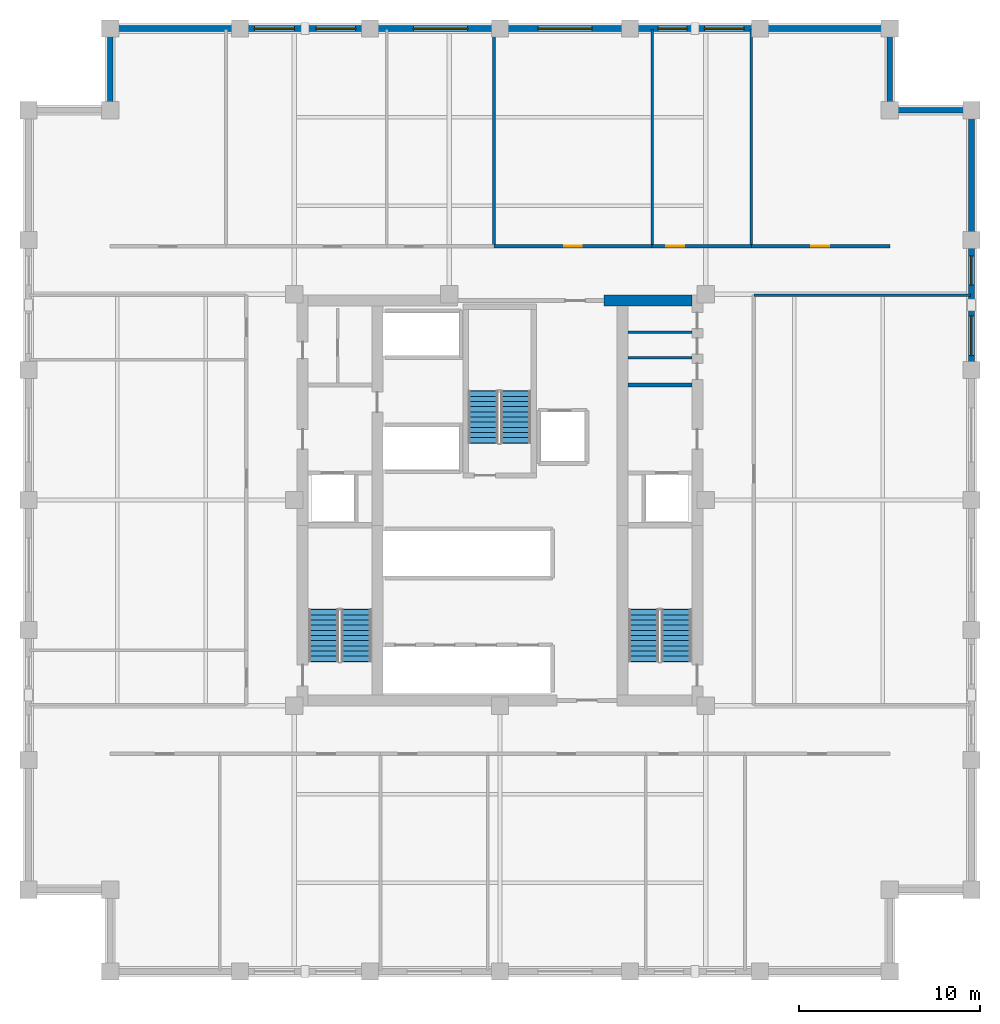
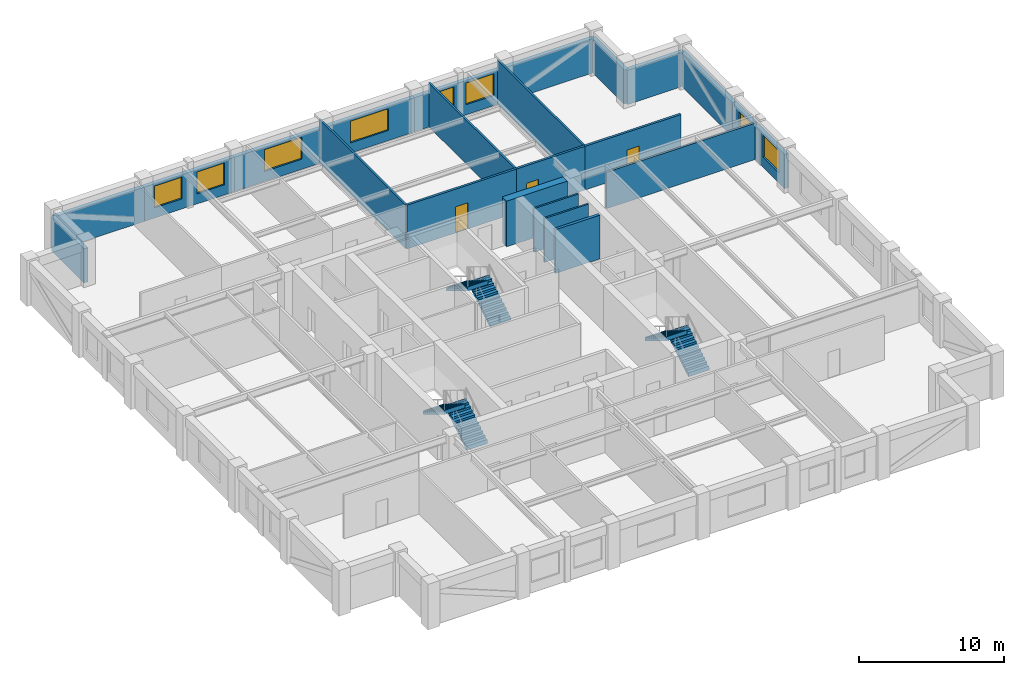
# One storey, part 5 of 6: 22 walls, 8 windows, 6 stair flights, 3 doors, 11 openings, 3 elements without a shape of their own.
"""IFC4 building model written with IfcOpenShell, lengths in metres."""

from ifc_helpers import new_model, si_unit, direction, frame, frame_2d, origin, place, context, subcontext, project, spatial, polyline, rectangle, outline, extrude, material, layer, layer_set, type_object, element, fill, aggregate, save


model = new_model("IFC4")

# Units and contexts
model_context = context("Model", 3, precision=1e-05, world=origin(), true_north=direction((0.0, 1.0)))
body_context = subcontext(model_context, "Body", "Model", "MODEL_VIEW")
ifc_project = project(units=[si_unit("LENGTHUNIT", "METRE"), si_unit("AREAUNIT", "SQUARE_METRE"), si_unit("VOLUMEUNIT", "CUBIC_METRE"), si_unit("PLANEANGLEUNIT", "RADIAN"), si_unit("MASSUNIT", "GRAM", prefix="KILO")], contexts=[model_context])

# Site, building, storey
site_placement = place(None, origin())
site = spatial("IfcSite", under=ifc_project, at=site_placement, CompositionType="ELEMENT")
building_placement = place(site_placement, origin())
building = spatial("IfcBuilding", under=site, at=building_placement, Name="Nhamokura Convention Tower", CompositionType="ELEMENT")
storey_placement = place(building_placement, frame((0.0, 0.0, 129.85009765625)))
storey = spatial("IfcBuildingStorey", under=building, at=storey_placement, Name="L31", CompositionType="ELEMENT", Elevation=129.85009765625)

# Walls
ifc_material_1 = material(Name="Moisture-resistant tile-backer partition", Category="masonry")
ifc_layer_1 = layer(ifc_material_1, 0.139892578125)
ifc_layer_set_1 = layer_set([ifc_layer_1], Name="BathroomWetWall_140")
wall_type_1 = type_object("IfcWallType", Name="BathroomWetWall_140", PredefinedType="STANDARD", material=ifc_layer_set_1)
for number, where, z_axis, x_axis, name in (
    (1, (39.06005859375, 39.85009765625, 0.0), (0.0, 0.0, 1.0), (1.0, 0.0, 0.0), "L31 Wall INT-L31-CWNE1"),
    (2, (39.06005859375, 41.25, 0.0), (0.0, 0.0, 1.0), (1.0, 0.0, 0.0), "L31 Wall INT-L31-CWNE2"),
):
    element("IfcWall", number, at=place(storey_placement, frame(where, z_axis=z_axis, x_axis=x_axis)), inside=storey, type_object=wall_type_1, Name=name, PredefinedType="STANDARD", context=body_context, shape_type="SweptSolid", body=[
        extrude(rectangle(XDim=3.530029296875, YDim=0.139892578125, at=frame_2d((1.76513671875, 0.0))), origin(), (0.0, 0.0, 1.0), 3.684814453125),
    ])
ifc_material_2 = material(Name="Bronze-pigmented precast concrete C45/55", Category="concrete")
ifc_layer_2 = layer(ifc_material_2, 0.320068359375)
ifc_layer_set_2 = layer_set([ifc_layer_2], Name="BronzePrecastSpandrel_320")
wall_type_2 = type_object("IfcWallType", Name="BronzePrecastSpandrel_320", PredefinedType="USERDEFINED", material=ifc_layer_set_2)
wall_1_placement = place(storey_placement, frame((10.5, 58.0, 0.0), z_axis=(0.0, 0.0, 1.0), x_axis=(1.0, 0.0, 0.0)))
element("IfcWall", 3, at=wall_1_placement, inside=storey, type_object=wall_type_2, Name="L31 Braced-Bay Precast Wall NORTH 0", ObjectType="SPANDREL_WALL", PredefinedType="USERDEFINED", context=body_context, shape_type="SweptSolid", body=[
    extrude(rectangle(XDim=7.166748046875, YDim=0.320068359375, at=frame_2d((3.58349609375, 0.0))), origin(), (0.0, 0.0, 1.0), 2.885009765625),
])

# Wall, openings, windows
wall_2_placement = place(storey_placement, frame((17.666748046875, 58.0, 0.0), z_axis=(0.0, 0.0, 1.0), x_axis=(1.0, 0.0, 0.0)))
wall_2 = element("IfcWall", 4, at=wall_2_placement, inside=storey, type_object=wall_type_2, Name="L31 Masonry-Frame Wall NORTH 1", ObjectType="SPANDREL_WALL", PredefinedType="USERDEFINED", context=body_context, shape_type="SweptSolid", body=[
    extrude(rectangle(XDim=7.16650390625, YDim=0.320068359375, at=frame_2d((3.583251953125, 0.0))), origin(), (0.0, 0.0, 1.0), 2.885009765625),
])
opening_1_placement = place(wall_2_placement, frame((0.791748046875, 0.0, 0.85009765625)))
opening_1 = element("IfcOpeningElement", 5, at=opening_1_placement, cuts=wall_2, Name="Opening W-06", PredefinedType="OPENING", context=body_context, shape_type="SweptSolid", body=[
    extrude(rectangle(XDim=2.199951171875, YDim=1.8349609375, at=frame_2d((1.10009765625, 0.91748046875))), frame((0.0, 0.169921875, 0.0), z_axis=(0.0, -1.0, 0.0), x_axis=(1.0, 0.0, 0.0)), (0.0, 0.0, 1.0), 0.340087890625),
])
opening_2_placement = place(wall_2_placement, frame((4.175048828125, 0.0, 0.85009765625)))
opening_2 = element("IfcOpeningElement", 6, at=opening_2_placement, cuts=wall_2, Name="Opening W-06", PredefinedType="OPENING", context=body_context, shape_type="SweptSolid", body=[
    extrude(rectangle(XDim=2.199951171875, YDim=1.8349609375, at=frame_2d((1.10009765625, 0.91748046875))), frame((0.0, 0.169921875, 0.0), z_axis=(0.0, -1.0, 0.0), x_axis=(1.0, 0.0, 0.0)), (0.0, 0.0, 1.0), 0.340087890625),
])
ifc_material_3 = material(Name="Solar-control bronze low-E double glass", Category="glass")
window_type_1 = type_object("IfcWindowType", Name="OfficeModuleWindow_Z2_2200", PartitioningType="SINGLE_PANEL", PredefinedType="WINDOW", material=ifc_material_3)
window_1_placement = place(opening_1_placement, origin())
window_1 = element("IfcWindow", 7, at=window_1_placement, inside=storey, type_object=window_type_1, Name="L31 Facade Window NORTH 1-1", OverallHeight=1.8349609375, OverallWidth=2.199951171875, PartitioningType="SINGLE_PANEL", PredefinedType="WINDOW", context=body_context, shape_type="SweptSolid", body=[
    extrude(rectangle(XDim=2.199951171875, YDim=1.8349609375, at=frame_2d((1.10009765625, 0.91748046875))), frame((0.0, 0.030029296875, 0.0), z_axis=(0.0, -1.0, 0.0), x_axis=(1.0, 0.0, 0.0)), (0.0, 0.0, 1.0), 0.06005859375),
])
fill(opening_1, window_1)
window_2_placement = place(opening_2_placement, origin())
window_2 = element("IfcWindow", 8, at=window_2_placement, inside=storey, type_object=window_type_1, Name="L31 Facade Window NORTH 1-2", OverallHeight=1.8349609375, OverallWidth=2.199951171875, PartitioningType="SINGLE_PANEL", PredefinedType="WINDOW", context=body_context, shape_type="SweptSolid", body=[
    extrude(rectangle(XDim=2.199951171875, YDim=1.8349609375, at=frame_2d((1.10009765625, 0.91748046875))), frame((0.0, 0.030029296875, 0.0), z_axis=(0.0, -1.0, 0.0), x_axis=(1.0, 0.0, 0.0)), (0.0, 0.0, 1.0), 0.06005859375),
])
fill(opening_2, window_2)

# Wall, opening, window
wall_3_placement = place(storey_placement, frame((24.833251953125, 58.0, 0.0), z_axis=(0.0, 0.0, 1.0), x_axis=(1.0, 0.0, 0.0)))
wall_3 = element("IfcWall", 9, at=wall_3_placement, inside=storey, type_object=wall_type_2, Name="L31 Masonry-Frame Wall NORTH 2", ObjectType="SPANDREL_WALL", PredefinedType="USERDEFINED", context=body_context, shape_type="SweptSolid", body=[
    extrude(rectangle(XDim=7.166748046875, YDim=0.320068359375, at=frame_2d((3.58349609375, 0.0))), origin(), (0.0, 0.0, 1.0), 2.885009765625),
])
opening_3_placement = place(wall_3_placement, frame((2.38330078125, 0.0, 0.85009765625)))
opening_3 = element("IfcOpeningElement", 10, at=opening_3_placement, cuts=wall_3, Name="Opening W-05", PredefinedType="OPENING", context=body_context, shape_type="SweptSolid", body=[
    extrude(rectangle(XDim=3.0, YDim=1.8349609375, at=frame_2d((1.5, 0.91748046875))), frame((0.0, 0.169921875, 0.0), z_axis=(0.0, -1.0, 0.0), x_axis=(1.0, 0.0, 0.0)), (0.0, 0.0, 1.0), 0.340087890625),
])
ifc_material_4 = material(Name="Solar-control bronze low-E double glass", Category="glass")
window_type_2 = type_object("IfcWindowType", Name="OfficeModuleWindow_Z2_3000", PartitioningType="DOUBLE_PANEL_VERTICAL", PredefinedType="WINDOW", material=ifc_material_4)
window_3_placement = place(opening_3_placement, origin())
window_3 = element("IfcWindow", 11, at=window_3_placement, inside=storey, type_object=window_type_2, Name="L31 Facade Window NORTH 2", OverallHeight=1.8349609375, OverallWidth=3.0, PartitioningType="SINGLE_PANEL", PredefinedType="WINDOW", context=body_context, shape_type="SweptSolid", body=[
    extrude(rectangle(XDim=3.0, YDim=1.8349609375, at=frame_2d((1.5, 0.91748046875))), frame((0.0, 0.030029296875, 0.0), z_axis=(0.0, -1.0, 0.0), x_axis=(1.0, 0.0, 0.0)), (0.0, 0.0, 1.0), 0.06005859375),
])
fill(opening_3, window_3)

wall_4_placement = place(storey_placement, frame((32.0, 58.0, 0.0), z_axis=(0.0, 0.0, 1.0), x_axis=(1.0, 0.0, 0.0)))
wall_4 = element("IfcWall", 12, at=wall_4_placement, inside=storey, type_object=wall_type_2, Name="L31 Masonry-Frame Wall NORTH 3", ObjectType="SPANDREL_WALL", PredefinedType="USERDEFINED", context=body_context, shape_type="SweptSolid", body=[
    extrude(rectangle(XDim=7.166748046875, YDim=0.320068359375, at=frame_2d((3.58349609375, 0.0))), origin(), (0.0, 0.0, 1.0), 2.885009765625),
])
opening_4_placement = place(wall_4_placement, frame((2.083251953125, 0.0, 0.85009765625)))
opening_4 = element("IfcOpeningElement", 13, at=opening_4_placement, cuts=wall_4, Name="Opening W-05", PredefinedType="OPENING", context=body_context, shape_type="SweptSolid", body=[
    extrude(rectangle(XDim=3.0, YDim=1.8349609375, at=frame_2d((1.5, 0.91748046875))), frame((0.0, 0.169921875, 0.0), z_axis=(0.0, -1.0, 0.0), x_axis=(1.0, 0.0, 0.0)), (0.0, 0.0, 1.0), 0.340087890625),
])
window_4_placement = place(opening_4_placement, origin())
window_4 = element("IfcWindow", 14, at=window_4_placement, inside=storey, type_object=window_type_2, Name="L31 Facade Window NORTH 3", OverallHeight=1.8349609375, OverallWidth=3.0, PartitioningType="SINGLE_PANEL", PredefinedType="WINDOW", context=body_context, shape_type="SweptSolid", body=[
    extrude(rectangle(XDim=3.0, YDim=1.8349609375, at=frame_2d((1.5, 0.91748046875))), frame((0.0, 0.030029296875, 0.0), z_axis=(0.0, -1.0, 0.0), x_axis=(1.0, 0.0, 0.0)), (0.0, 0.0, 1.0), 0.06005859375),
])
fill(opening_4, window_4)

# Wall, openings, windows
wall_5_placement = place(storey_placement, frame((39.166748046875, 58.0, 0.0), z_axis=(0.0, 0.0, 1.0), x_axis=(1.0, 0.0, 0.0)))
wall_5 = element("IfcWall", 15, at=wall_5_placement, inside=storey, type_object=wall_type_2, Name="L31 Masonry-Frame Wall NORTH 4", ObjectType="SPANDREL_WALL", PredefinedType="USERDEFINED", context=body_context, shape_type="SweptSolid", body=[
    extrude(rectangle(XDim=7.16650390625, YDim=0.320068359375, at=frame_2d((3.583251953125, 0.0))), origin(), (0.0, 0.0, 1.0), 2.885009765625),
])
opening_5_placement = place(wall_5_placement, frame((1.541748046875, 0.0, 0.85009765625)))
opening_5 = element("IfcOpeningElement", 16, at=opening_5_placement, cuts=wall_5, Name="Opening W-11", PredefinedType="OPENING", context=body_context, shape_type="SweptSolid", body=[
    extrude(rectangle(XDim=1.60009765625, YDim=1.8349609375, at=frame_2d((0.800048828125, 0.91748046875))), frame((0.0, 0.169921875, 0.0), z_axis=(0.0, -1.0, 0.0), x_axis=(1.0, 0.0, 0.0)), (0.0, 0.0, 1.0), 0.340087890625),
])
opening_6_placement = place(wall_5_placement, frame((4.10009765625, 0.0, 0.85009765625)))
opening_6 = element("IfcOpeningElement", 17, at=opening_6_placement, cuts=wall_5, Name="Opening W-06", PredefinedType="OPENING", context=body_context, shape_type="SweptSolid", body=[
    extrude(rectangle(XDim=2.199951171875, YDim=1.8349609375, at=frame_2d((1.10009765625, 0.91748046875))), frame((0.0, 0.169921875, 0.0), z_axis=(0.0, -1.0, 0.0), x_axis=(1.0, 0.0, 0.0)), (0.0, 0.0, 1.0), 0.340087890625),
])
ifc_material_5 = material(Name="Solar-control bronze low-E double glass", Category="glass")
window_type_3 = type_object("IfcWindowType", Name="NotchCornerWindow_1600", PartitioningType="SINGLE_PANEL", PredefinedType="WINDOW", material=ifc_material_5)
window_5_placement = place(opening_5_placement, origin())
window_5 = element("IfcWindow", 18, at=window_5_placement, inside=storey, type_object=window_type_3, Name="L31 Facade Window NORTH 4-2", OverallHeight=1.8349609375, OverallWidth=1.60009765625, PartitioningType="SINGLE_PANEL", PredefinedType="WINDOW", context=body_context, shape_type="SweptSolid", body=[
    extrude(rectangle(XDim=1.60009765625, YDim=1.8349609375, at=frame_2d((0.800048828125, 0.91748046875))), frame((0.0, 0.030029296875, 0.0), z_axis=(0.0, -1.0, 0.0), x_axis=(1.0, 0.0, 0.0)), (0.0, 0.0, 1.0), 0.06005859375),
])
fill(opening_5, window_5)
window_6_placement = place(opening_6_placement, origin())
window_6 = element("IfcWindow", 19, at=window_6_placement, inside=storey, type_object=window_type_1, Name="L31 Facade Window NORTH 4-3", OverallHeight=1.8349609375, OverallWidth=2.199951171875, PartitioningType="SINGLE_PANEL", PredefinedType="WINDOW", context=body_context, shape_type="SweptSolid", body=[
    extrude(rectangle(XDim=2.199951171875, YDim=1.8349609375, at=frame_2d((1.10009765625, 0.91748046875))), frame((0.0, 0.030029296875, 0.0), z_axis=(0.0, -1.0, 0.0), x_axis=(1.0, 0.0, 0.0)), (0.0, 0.0, 1.0), 0.06005859375),
])
fill(opening_6, window_6)

# Wall
wall_6_placement = place(storey_placement, frame((46.333251953125, 58.0, 0.0), z_axis=(0.0, 0.0, 1.0), x_axis=(1.0, 0.0, 0.0)))
element("IfcWall", 20, at=wall_6_placement, inside=storey, type_object=wall_type_2, Name="L31 Braced-Bay Precast Wall NORTH 5", ObjectType="SPANDREL_WALL", PredefinedType="USERDEFINED", context=body_context, shape_type="SweptSolid", body=[
    extrude(rectangle(XDim=7.166748046875, YDim=0.320068359375, at=frame_2d((3.58349609375, 0.0))), origin(), (0.0, 0.0, 1.0), 2.885009765625),
])

# Wall, openings, windows
wall_7_placement = place(storey_placement, frame((58.0, 46.333251953125, 0.0), z_axis=(0.0, 0.0, 1.0), x_axis=(0.0, -1.0, 0.0)))
wall_7 = element("IfcWall", 21, at=wall_7_placement, inside=storey, type_object=wall_type_2, Name="L31 Masonry-Frame Wall EAST 4", ObjectType="SPANDREL_WALL", PredefinedType="USERDEFINED", context=body_context, shape_type="SweptSolid", body=[
    extrude(rectangle(XDim=7.16650390625, YDim=0.320068359375, at=frame_2d((3.583251953125, 0.0))), origin(), (0.0, 0.0, 1.0), 2.885009765625),
])
opening_7_placement = place(wall_7_placement, frame((0.879150390625, 0.0, 0.85009765625)))
opening_7 = element("IfcOpeningElement", 22, at=opening_7_placement, cuts=wall_7, Name="Opening W-11", PredefinedType="OPENING", context=body_context, shape_type="SweptSolid", body=[
    extrude(rectangle(XDim=1.60009765625, YDim=1.8349609375, at=frame_2d((0.800048828125, 0.91748046875))), frame((0.0, 0.169921875, 0.0), z_axis=(0.0, -1.0, 0.0), x_axis=(1.0, 0.0, 0.0)), (0.0, 0.0, 1.0), 0.340087890625),
])
opening_8_placement = place(wall_7_placement, frame((4.175048828125, 0.0, 0.85009765625)))
opening_8 = element("IfcOpeningElement", 23, at=opening_8_placement, cuts=wall_7, Name="Opening W-06", PredefinedType="OPENING", context=body_context, shape_type="SweptSolid", body=[
    extrude(rectangle(XDim=2.199951171875, YDim=1.8349609375, at=frame_2d((1.10009765625, 0.91748046875))), frame((0.0, 0.169921875, 0.0), z_axis=(0.0, -1.0, 0.0), x_axis=(1.0, 0.0, 0.0)), (0.0, 0.0, 1.0), 0.340087890625),
])
window_7_placement = place(opening_7_placement, origin())
window_7 = element("IfcWindow", 24, at=window_7_placement, inside=storey, type_object=window_type_3, Name="L31 Facade Window EAST 4-1", OverallHeight=1.8349609375, OverallWidth=1.60009765625, PartitioningType="SINGLE_PANEL", PredefinedType="WINDOW", context=body_context, shape_type="SweptSolid", body=[
    extrude(rectangle(XDim=1.60009765625, YDim=1.8349609375, at=frame_2d((0.800048828125, 0.91748046875))), frame((0.0, 0.030029296875, 0.0), z_axis=(0.0, -1.0, 0.0), x_axis=(1.0, 0.0, 0.0)), (0.0, 0.0, 1.0), 0.06005859375),
])
fill(opening_7, window_7)
window_8_placement = place(opening_8_placement, origin())
window_8 = element("IfcWindow", 25, at=window_8_placement, inside=storey, type_object=window_type_1, Name="L31 Facade Window EAST 4-2", OverallHeight=1.8349609375, OverallWidth=2.199951171875, PartitioningType="SINGLE_PANEL", PredefinedType="WINDOW", context=body_context, shape_type="SweptSolid", body=[
    extrude(rectangle(XDim=2.199951171875, YDim=1.8349609375, at=frame_2d((1.10009765625, 0.91748046875))), frame((0.0, 0.030029296875, 0.0), z_axis=(0.0, -1.0, 0.0), x_axis=(1.0, 0.0, 0.0)), (0.0, 0.0, 1.0), 0.06005859375),
])
fill(opening_8, window_8)

# Walls
wall_8_placement = place(storey_placement, frame((58.0, 53.5, 0.0), z_axis=(0.0, 0.0, 1.0), x_axis=(0.0, -1.0, 0.0)))
element("IfcWall", 26, at=wall_8_placement, inside=storey, type_object=wall_type_2, Name="L31 Braced-Bay Precast Wall EAST 5", ObjectType="SPANDREL_WALL", PredefinedType="USERDEFINED", context=body_context, shape_type="SweptSolid", body=[
    extrude(rectangle(XDim=7.166748046875, YDim=0.320068359375, at=frame_2d((3.58349609375, 0.0))), origin(), (0.0, 0.0, 1.0), 2.885009765625),
])
for number, where, z_axis, x_axis, name in (
    (27, (53.5, 53.5, 0.0), (0.0, 0.0, 1.0), (1.0, 0.0, 0.0), "L31 Notched Corner Wall NE1"),
    (28, (53.5, 58.0, 0.0), (0.0, 0.0, 1.0), (0.0, -1.0, 0.0), "L31 Notched Corner Wall NE2"),
    (29, (10.5, 53.5, 0.0), (0.0, 0.0, 1.0), (0.0, 1.0, 0.0), "L31 Notched Corner Wall NW1"),
):
    element("IfcWall", number, at=place(storey_placement, frame(where, z_axis=z_axis, x_axis=x_axis)), inside=storey, type_object=wall_type_2, Name=name, ObjectType="SPANDREL_WALL", PredefinedType="USERDEFINED", context=body_context, shape_type="SweptSolid", body=[
        extrude(rectangle(XDim=4.5, YDim=0.320068359375, at=frame_2d((2.25, 0.0))), origin(), (0.0, 0.0, 1.0), 2.885009765625),
    ])
ifc_material_6 = material(Name="Concrete C60/75", Category="concrete")
ifc_layer_3 = layer(ifc_material_6, 0.60009765625)
ifc_layer_set_3 = layer_set([ifc_layer_3], Name="CoreShearWall_600")
wall_type_3 = type_object("IfcWallType", Name="CoreShearWall_600", PredefinedType="SHEAR", material=ifc_layer_set_3)
wall_9_placement = place(storey_placement, frame((37.75, 43.0, 0.0), z_axis=(0.0, 0.0, 1.0), x_axis=(1.0, 0.0, 0.0)))
element("IfcWall", 30, at=wall_9_placement, inside=storey, type_object=wall_type_3, Name="L31 Core Shear Wall CW-N2", PredefinedType="SHEAR", context=body_context, shape_type="SweptSolid", body=[
    extrude(rectangle(XDim=4.840087890625, YDim=0.60009765625, at=frame_2d((2.419921875, 0.0))), origin(), (0.0, 0.0, 1.0), 3.849853515625),
])

# Wall, opening, door
ifc_material_7 = material(Name="Fire-rated gypsum and masonry partition", Category="masonry")
ifc_layer_4 = layer(ifc_material_7, 0.179931640625)
ifc_layer_set_4 = layer_set([ifc_layer_4], Name="CorridorRatedWall_180")
wall_type_4 = type_object("IfcWallType", Name="CorridorRatedWall_180", PredefinedType="STANDARD", material=ifc_layer_set_4)
wall_10_placement = place(storey_placement, frame((31.675048828125, 46.0, 0.0), z_axis=(0.0, 0.0, 1.0), x_axis=(1.0, 0.0, 0.0)))
wall_10 = element("IfcWall", 31, at=wall_10_placement, inside=storey, type_object=wall_type_4, Name="L31 Wall INT-L31-CW-N03", PredefinedType="STANDARD", context=body_context, shape_type="SweptSolid", body=[
    extrude(rectangle(XDim=8.716552734375, YDim=0.179931640625, at=frame_2d((4.3583984375, 0.0))), origin(), (0.0, 0.0, 1.0), 3.684814453125),
])
opening_9_placement = place(wall_10_placement, frame((3.8583984375, 0.0, 0.0)))
opening_9 = element("IfcOpeningElement", 32, at=opening_9_placement, cuts=wall_10, Name="Opening D-08", PredefinedType="OPENING", context=body_context, shape_type="SweptSolid", body=[
    extrude(rectangle(XDim=0.97998046875, YDim=2.199951171875, at=frame_2d((0.489990234375, 1.10009765625))), frame((0.0, 0.099853515625, 0.0), z_axis=(0.0, -1.0, 0.0), x_axis=(1.0, 0.0, 0.0)), (0.0, 0.0, 1.0), 0.199951171875),
])
ifc_material_8 = material(Name="Solid oak hardwood", Category="wood")
door_type = type_object("IfcDoorType", Name="OfficeEntryDoor_980", OperationType="NOTDEFINED", PredefinedType="DOOR", material=ifc_material_8)
door_1_placement = place(opening_9_placement, origin())
door_1 = element("IfcDoor", 33, at=door_1_placement, inside=storey, type_object=door_type, Name="L31 Law Library N04 Door", OperationType="SINGLE_SWING_RIGHT", OverallHeight=2.199951171875, OverallWidth=0.97998046875, PredefinedType="DOOR", context=body_context, shape_type="SweptSolid", body=[
    extrude(rectangle(XDim=0.97998046875, YDim=2.199951171875, at=frame_2d((0.489990234375, 1.10009765625))), frame((0.0, 0.02490234375, 0.0), z_axis=(0.0, -1.0, 0.0), x_axis=(1.0, 0.0, 0.0)), (0.0, 0.0, 1.0), 0.050048828125),
])
fill(opening_9, door_1)

wall_11_placement = place(storey_placement, frame((40.3916015625, 46.0, 0.0), z_axis=(0.0, 0.0, 1.0), x_axis=(1.0, 0.0, 0.0)))
wall_11 = element("IfcWall", 34, at=wall_11_placement, inside=storey, type_object=wall_type_4, Name="L31 Wall INT-L31-CW-N04", PredefinedType="STANDARD", context=body_context, shape_type="SweptSolid", body=[
    extrude(rectangle(XDim=5.466796875, YDim=0.179931640625, at=frame_2d((2.7333984375, 0.0))), origin(), (0.0, 0.0, 1.0), 3.684814453125),
])
opening_10_placement = place(wall_11_placement, frame((0.783203125, 0.0, 0.0)))
opening_10 = element("IfcOpeningElement", 35, at=opening_10_placement, cuts=wall_11, Name="Opening D-08", PredefinedType="OPENING", context=body_context, shape_type="SweptSolid", body=[
    extrude(rectangle(XDim=0.97998046875, YDim=2.199951171875, at=frame_2d((0.489990234375, 1.10009765625))), frame((0.0, 0.099853515625, 0.0), z_axis=(0.0, -1.0, 0.0), x_axis=(1.0, 0.0, 0.0)), (0.0, 0.0, 1.0), 0.199951171875),
])
door_2_placement = place(opening_10_placement, origin())
door_2 = element("IfcDoor", 36, at=door_2_placement, inside=storey, type_object=door_type, Name="L31 Training Classroom N05 Door", OperationType="SINGLE_SWING_LEFT", OverallHeight=2.199951171875, OverallWidth=0.97998046875, PredefinedType="DOOR", context=body_context, shape_type="SweptSolid", body=[
    extrude(rectangle(XDim=0.97998046875, YDim=2.199951171875, at=frame_2d((0.489990234375, 1.10009765625))), frame((0.0, 0.02490234375, 0.0), z_axis=(0.0, -1.0, 0.0), x_axis=(1.0, 0.0, 0.0)), (0.0, 0.0, 1.0), 0.050048828125),
])
fill(opening_10, door_2)

wall_12_placement = place(storey_placement, frame((45.8583984375, 46.0, 0.0), z_axis=(0.0, 0.0, 1.0), x_axis=(1.0, 0.0, 0.0)))
wall_12 = element("IfcWall", 37, at=wall_12_placement, inside=storey, type_object=wall_type_4, Name="L31 Wall INT-L31-CW-N05", PredefinedType="STANDARD", context=body_context, shape_type="SweptSolid", body=[
    extrude(rectangle(XDim=7.6416015625, YDim=0.179931640625, at=frame_2d((3.82080078125, 0.0))), origin(), (0.0, 0.0, 1.0), 3.684814453125),
])
opening_11_placement = place(wall_12_placement, frame((3.32080078125, 0.0, 0.0)))
opening_11 = element("IfcOpeningElement", 38, at=opening_11_placement, cuts=wall_12, Name="Opening D-08", PredefinedType="OPENING", context=body_context, shape_type="SweptSolid", body=[
    extrude(rectangle(XDim=0.97998046875, YDim=2.199951171875, at=frame_2d((0.489990234375, 1.10009765625))), frame((0.0, 0.099853515625, 0.0), z_axis=(0.0, -1.0, 0.0), x_axis=(1.0, 0.0, 0.0)), (0.0, 0.0, 1.0), 0.199951171875),
])
door_3_placement = place(opening_11_placement, origin())
door_3 = element("IfcDoor", 39, at=door_3_placement, inside=storey, type_object=door_type, Name="L31 Law Library N06 Door", OperationType="SINGLE_SWING_RIGHT", OverallHeight=2.199951171875, OverallWidth=0.97998046875, PredefinedType="DOOR", context=body_context, shape_type="SweptSolid", body=[
    extrude(rectangle(XDim=0.97998046875, YDim=2.199951171875, at=frame_2d((0.489990234375, 1.10009765625))), frame((0.0, 0.02490234375, 0.0), z_axis=(0.0, -1.0, 0.0), x_axis=(1.0, 0.0, 0.0)), (0.0, 0.0, 1.0), 0.050048828125),
])
fill(opening_11, door_3)

# Walls
ifc_material_9 = material(Name="Autoclaved concrete blockwork", Category="masonry")
ifc_layer_5 = layer(ifc_material_9, 0.219970703125)
ifc_layer_set_5 = layer_set([ifc_layer_5], Name="FireLobbyWall_220")
wall_type_5 = type_object("IfcWallType", Name="FireLobbyWall_220", PredefinedType="STANDARD", material=ifc_layer_set_5)
wall_13_placement = place(storey_placement, frame((39.06005859375, 38.35009765625, 0.0), z_axis=(0.0, 0.0, 1.0), x_axis=(1.0, 0.0, 0.0)))
element("IfcWall", 40, at=wall_13_placement, inside=storey, type_object=wall_type_5, Name="L31 Wall INT-L31-FFE-N", PredefinedType="STANDARD", context=body_context, shape_type="SweptSolid", body=[
    extrude(rectangle(XDim=3.530029296875, YDim=0.219970703125, at=frame_2d((1.76513671875, 0.0))), origin(), (0.0, 0.0, 1.0), 3.684814453125),
])
ifc_material_10 = material(Name="Acoustic gypsum stud partition", Category="masonry")
ifc_layer_6 = layer(ifc_material_10, 0.14990234375)
ifc_layer_set_6 = layer_set([ifc_layer_6], Name="InteriorPartition_150")
wall_type_6 = type_object("IfcWallType", Name="InteriorPartition_150", PredefinedType="STANDARD", material=ifc_layer_set_6)
for number, where, z_axis, x_axis, name in (
    (41, (31.675048828125, 46.0, 0.0), (0.0, 0.0, 1.0), (0.0, 1.0, 0.0), "L31 Wall INT-L31-RW-N03"),
    (42, (40.3916015625, 46.0, 0.0), (0.0, 0.0, 1.0), (0.0, 1.0, 0.0), "L31 Wall INT-L31-RW-N04"),
    (43, (45.8583984375, 46.0, 0.0), (0.0, 0.0, 1.0), (0.0, 1.0, 0.0), "L31 Wall INT-L31-RW-N05"),
):
    element("IfcWall", number, at=place(storey_placement, frame(where, z_axis=z_axis, x_axis=x_axis)), inside=storey, type_object=wall_type_6, Name=name, PredefinedType="STANDARD", context=body_context, shape_type="SweptSolid", body=[
        extrude(rectangle(XDim=11.93994140625, YDim=0.14990234375, at=frame_2d((5.969970703125, 0.0))), origin(), (0.0, 0.0, 1.0), 3.684814453125),
    ])
wall_14_placement = place(storey_placement, frame((46.0, 43.300048828125, 0.0), z_axis=(0.0, 0.0, 1.0), x_axis=(1.0, 0.0, 0.0)))
element("IfcWall", 44, at=wall_14_placement, inside=storey, type_object=wall_type_6, Name="L31 Wall INT-L31-RWT-E", PredefinedType="STANDARD", context=body_context, shape_type="SweptSolid", body=[
    extrude(rectangle(XDim=11.93994140625, YDim=0.14990234375, at=frame_2d((5.969970703125, 0.0))), origin(), (0.0, 0.0, 1.0), 3.06494140625),
])

# Stair, stair flights
ifc_material_11 = material(Name="Concrete C40/50", Category="concrete")
stair_type = type_object("IfcStairType", Name="TowerCoreStair_1650", PredefinedType="HALF_TURN_STAIR", material=ifc_material_11)
stair_1_placement = place(storey_placement, origin())
stair_1 = element("IfcStair", 45, at=stair_1_placement, inside=storey, type_object=stair_type, Name="L31 West Core Smokeproof Stair ST-01", PredefinedType="HALF_TURN_STAIR")
ifc_material_12 = material(Name="Concrete C40/50", Category="concrete")
stair_flight_type = type_object("IfcStairFlightType", Name="TowerCoreStair_1650_Flight", PredefinedType="STRAIGHT", material=ifc_material_12)
stair_flight_1_placement = place(storey_placement, frame((24.074951171875, 23.10009765625, 0.0), z_axis=(0.0, 0.0, 1.0), x_axis=(0.0, 1.0, 0.0)))
stair_flight_1 = element("IfcStairFlight", 46, at=stair_flight_1_placement, type_object=stair_flight_type, Name="ST-01 flight 1", NumberOfRisers=11, NumberOfTreads=10, PredefinedType="STRAIGHT", RiserHeight=0.175, TreadLength=0.285, context=body_context, shape_type="SweptSolid", body=[
    extrude(outline(polyline([(-0.0419921875, 0.0), (0.0, 0.175048828125), (0.284912109375, 0.175048828125), (0.284912109375, 0.35009765625), (0.570068359375, 0.35009765625), (0.570068359375, 0.52490234375), (0.85498046875, 0.52490234375), (0.85498046875, 0.699951171875), (1.139892578125, 0.699951171875), (1.139892578125, 0.875), (1.425048828125, 0.875), (1.425048828125, 1.050048828125), (1.7099609375, 1.050048828125), (1.7099609375, 1.22509765625), (1.9951171875, 1.22509765625), (1.9951171875, 1.39990234375), (2.280029296875, 1.39990234375), (2.280029296875, 1.574951171875), (2.56494140625, 1.574951171875), (2.56494140625, 1.75), (2.85009765625, 1.75), (2.85009765625, 1.925048828125), (2.89208984375, 1.925048828125), (2.89208984375, 1.573974609375), (2.85009765625, 1.573974609375), (0.286376953125, 0.0), (0.02001953125, -0.1298828125), (-0.0419921875, -0.1298828125), (-0.0419921875, 0.0)])), frame((0.0, 0.824951171875, 0.0), z_axis=(0.0, -1.0, 0.0), x_axis=(1.0, 0.0, 0.0)), (0.0, 0.0, 1.0), 1.64990234375),
])
stair_flight_2_placement = place(storey_placement, frame((22.27490234375, 25.949951171875, 1.9248046875), z_axis=(0.0, 0.0, 1.0), x_axis=(0.0, -1.0, 0.0)))
stair_flight_2 = element("IfcStairFlight", 47, at=stair_flight_2_placement, type_object=stair_flight_type, Name="ST-01 flight 2", NumberOfRisers=11, NumberOfTreads=10, PredefinedType="STRAIGHT", RiserHeight=0.175, TreadLength=0.285, context=body_context, shape_type="SweptSolid", body=[
    extrude(outline(polyline([(-0.0419921875, 0.0), (0.0, 0.175048828125), (0.284912109375, 0.175048828125), (0.284912109375, 0.35009765625), (0.570068359375, 0.35009765625), (0.570068359375, 0.52490234375), (0.85498046875, 0.52490234375), (0.85498046875, 0.699951171875), (1.139892578125, 0.699951171875), (1.139892578125, 0.875), (1.425048828125, 0.875), (1.425048828125, 1.050048828125), (1.7099609375, 1.050048828125), (1.7099609375, 1.22509765625), (1.9951171875, 1.22509765625), (1.9951171875, 1.39990234375), (2.280029296875, 1.39990234375), (2.280029296875, 1.574951171875), (2.56494140625, 1.574951171875), (2.56494140625, 1.75), (2.85009765625, 1.75), (2.85009765625, 1.925048828125), (2.89208984375, 1.925048828125), (2.89208984375, 1.573974609375), (2.85009765625, 1.573974609375), (0.286376953125, 0.0), (0.02001953125, -0.1298828125), (-0.0419921875, -0.1298828125), (-0.0419921875, 0.0)])), frame((0.0, 0.824951171875, 0.0), z_axis=(0.0, -1.0, 0.0), x_axis=(1.0, 0.0, 0.0)), (0.0, 0.0, 1.0), 1.64990234375),
])
aggregate(stair_1, [stair_flight_1, stair_flight_2])

stair_2_placement = place(storey_placement, origin())
stair_2 = element("IfcStair", 48, at=stair_2_placement, inside=storey, type_object=stair_type, Name="L31 East Core Smokeproof Stair ST-02", PredefinedType="HALF_TURN_STAIR")
stair_flight_3_placement = place(storey_placement, frame((41.72509765625, 23.10009765625, 0.0), z_axis=(0.0, 0.0, 1.0), x_axis=(0.0, 1.0, 0.0)))
stair_flight_3 = element("IfcStairFlight", 49, at=stair_flight_3_placement, type_object=stair_flight_type, Name="ST-02 flight 1", NumberOfRisers=11, NumberOfTreads=10, PredefinedType="STRAIGHT", RiserHeight=0.175, TreadLength=0.285, context=body_context, shape_type="SweptSolid", body=[
    extrude(outline(polyline([(-0.0419921875, 0.0), (0.0, 0.175048828125), (0.284912109375, 0.175048828125), (0.284912109375, 0.35009765625), (0.570068359375, 0.35009765625), (0.570068359375, 0.52490234375), (0.85498046875, 0.52490234375), (0.85498046875, 0.699951171875), (1.139892578125, 0.699951171875), (1.139892578125, 0.875), (1.425048828125, 0.875), (1.425048828125, 1.050048828125), (1.7099609375, 1.050048828125), (1.7099609375, 1.22509765625), (1.9951171875, 1.22509765625), (1.9951171875, 1.39990234375), (2.280029296875, 1.39990234375), (2.280029296875, 1.574951171875), (2.56494140625, 1.574951171875), (2.56494140625, 1.75), (2.85009765625, 1.75), (2.85009765625, 1.925048828125), (2.89208984375, 1.925048828125), (2.89208984375, 1.573974609375), (2.85009765625, 1.573974609375), (0.286376953125, 0.0), (0.02001953125, -0.1298828125), (-0.0419921875, -0.1298828125), (-0.0419921875, 0.0)])), frame((0.0, 0.824951171875, 0.0), z_axis=(0.0, -1.0, 0.0), x_axis=(1.0, 0.0, 0.0)), (0.0, 0.0, 1.0), 1.64990234375),
])
stair_flight_4_placement = place(storey_placement, frame((39.925048828125, 25.949951171875, 1.9248046875), z_axis=(0.0, 0.0, 1.0), x_axis=(0.0, -1.0, 0.0)))
stair_flight_4 = element("IfcStairFlight", 50, at=stair_flight_4_placement, type_object=stair_flight_type, Name="ST-02 flight 2", NumberOfRisers=11, NumberOfTreads=10, PredefinedType="STRAIGHT", RiserHeight=0.175, TreadLength=0.285, context=body_context, shape_type="SweptSolid", body=[
    extrude(outline(polyline([(-0.0419921875, 0.0), (0.0, 0.175048828125), (0.284912109375, 0.175048828125), (0.284912109375, 0.35009765625), (0.570068359375, 0.35009765625), (0.570068359375, 0.52490234375), (0.85498046875, 0.52490234375), (0.85498046875, 0.699951171875), (1.139892578125, 0.699951171875), (1.139892578125, 0.875), (1.425048828125, 0.875), (1.425048828125, 1.050048828125), (1.7099609375, 1.050048828125), (1.7099609375, 1.22509765625), (1.9951171875, 1.22509765625), (1.9951171875, 1.39990234375), (2.280029296875, 1.39990234375), (2.280029296875, 1.574951171875), (2.56494140625, 1.574951171875), (2.56494140625, 1.75), (2.85009765625, 1.75), (2.85009765625, 1.925048828125), (2.89208984375, 1.925048828125), (2.89208984375, 1.573974609375), (2.85009765625, 1.573974609375), (0.286376953125, 0.0), (0.02001953125, -0.1298828125), (-0.0419921875, -0.1298828125), (-0.0419921875, 0.0)])), frame((0.0, 0.824951171875, 0.0), z_axis=(0.0, -1.0, 0.0), x_axis=(1.0, 0.0, 0.0)), (0.0, 0.0, 1.0), 1.64990234375),
])
aggregate(stair_2, [stair_flight_3, stair_flight_4])

stair_3_placement = place(storey_placement, origin())
stair_3 = element("IfcStair", 51, at=stair_3_placement, inside=storey, type_object=stair_type, Name="L31 North Core Smokeproof Stair ST-03", PredefinedType="HALF_TURN_STAIR")
stair_flight_5_placement = place(storey_placement, frame((32.875, 35.14990234375, 0.0), z_axis=(0.0, 0.0, 1.0), x_axis=(0.0, 1.0, 0.0)))
stair_flight_5 = element("IfcStairFlight", 52, at=stair_flight_5_placement, type_object=stair_flight_type, Name="ST-03 flight 1", NumberOfRisers=11, NumberOfTreads=10, PredefinedType="STRAIGHT", RiserHeight=0.175, TreadLength=0.285, context=body_context, shape_type="SweptSolid", body=[
    extrude(outline(polyline([(-0.0419921875, 0.0), (0.0, 0.175048828125), (0.284912109375, 0.175048828125), (0.284912109375, 0.35009765625), (0.570068359375, 0.35009765625), (0.570068359375, 0.52490234375), (0.85498046875, 0.52490234375), (0.85498046875, 0.699951171875), (1.139892578125, 0.699951171875), (1.139892578125, 0.875), (1.425048828125, 0.875), (1.425048828125, 1.050048828125), (1.7099609375, 1.050048828125), (1.7099609375, 1.22509765625), (1.9951171875, 1.22509765625), (1.9951171875, 1.39990234375), (2.280029296875, 1.39990234375), (2.280029296875, 1.574951171875), (2.56494140625, 1.574951171875), (2.56494140625, 1.75), (2.85009765625, 1.75), (2.85009765625, 1.925048828125), (2.89208984375, 1.925048828125), (2.89208984375, 1.573974609375), (2.85009765625, 1.573974609375), (0.286376953125, 0.0), (0.02001953125, -0.1298828125), (-0.0419921875, -0.1298828125), (-0.0419921875, 0.0)])), frame((0.0, 0.824951171875, 0.0), z_axis=(0.0, -1.0, 0.0), x_axis=(1.0, 0.0, 0.0)), (0.0, 0.0, 1.0), 1.64990234375),
])
stair_flight_6_placement = place(storey_placement, frame((31.074951171875, 38.0, 1.9248046875), z_axis=(0.0, 0.0, 1.0), x_axis=(0.0, -1.0, 0.0)))
stair_flight_6 = element("IfcStairFlight", 53, at=stair_flight_6_placement, type_object=stair_flight_type, Name="ST-03 flight 2", NumberOfRisers=11, NumberOfTreads=10, PredefinedType="STRAIGHT", RiserHeight=0.175, TreadLength=0.285, context=body_context, shape_type="SweptSolid", body=[
    extrude(outline(polyline([(-0.0419921875, 0.0), (0.0, 0.175048828125), (0.284912109375, 0.175048828125), (0.284912109375, 0.35009765625), (0.570068359375, 0.35009765625), (0.570068359375, 0.52490234375), (0.85498046875, 0.52490234375), (0.85498046875, 0.699951171875), (1.139892578125, 0.699951171875), (1.139892578125, 0.875), (1.425048828125, 0.875), (1.425048828125, 1.050048828125), (1.7099609375, 1.050048828125), (1.7099609375, 1.22509765625), (1.9951171875, 1.22509765625), (1.9951171875, 1.39990234375), (2.280029296875, 1.39990234375), (2.280029296875, 1.574951171875), (2.56494140625, 1.574951171875), (2.56494140625, 1.75), (2.85009765625, 1.75), (2.85009765625, 1.925048828125), (2.89208984375, 1.925048828125), (2.89208984375, 1.573974609375), (2.85009765625, 1.573974609375), (0.286376953125, 0.0), (0.02001953125, -0.1298828125), (-0.0419921875, -0.1298828125), (-0.0419921875, 0.0)])), frame((0.0, 0.824951171875, 0.0), z_axis=(0.0, -1.0, 0.0), x_axis=(1.0, 0.0, 0.0)), (0.0, 0.0, 1.0), 1.64990234375),
])
aggregate(stair_3, [stair_flight_5, stair_flight_6])

save(model, "model.ifc")
